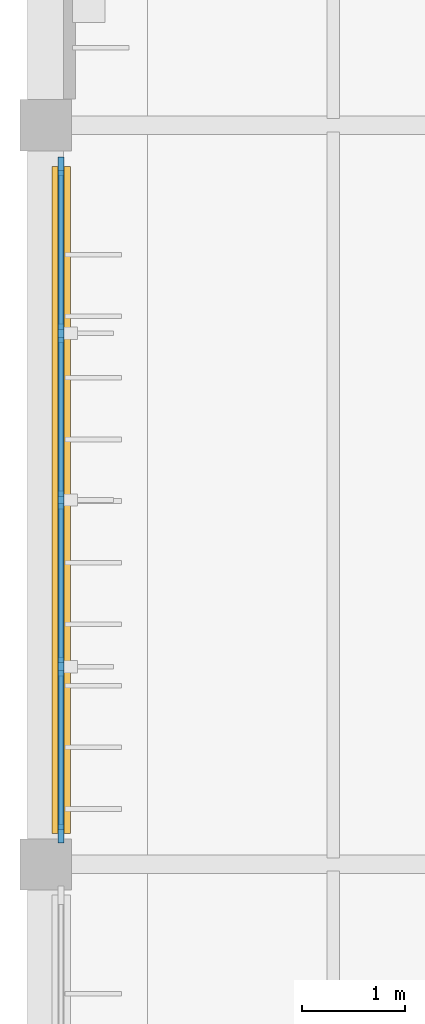
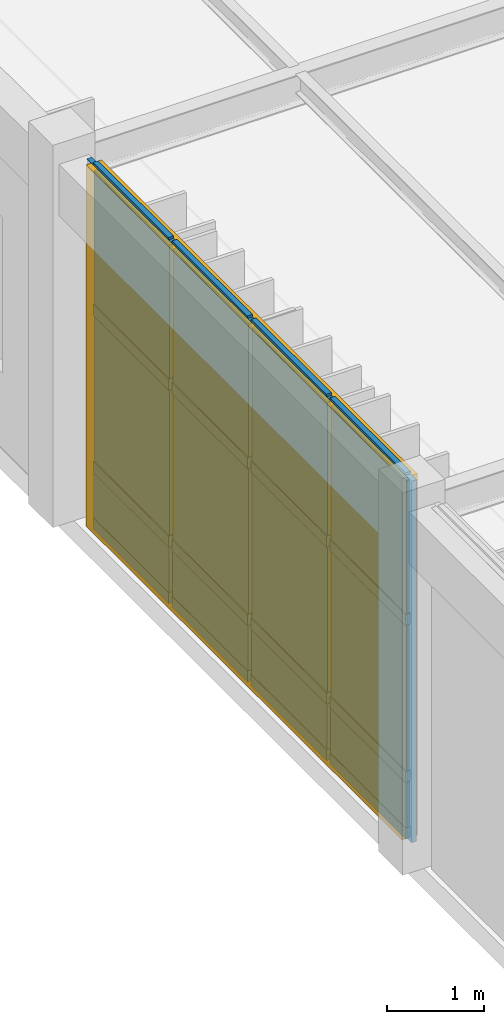
# One storey, part 67 of 122: 21 members, 12 plates, 1 curtain wall.
"""IFC4 building model written with IfcOpenShell, lengths in metres."""

from ifc_helpers import new_model, si_unit, direction, frame, frame_2d, origin, origin_2d, place, context, subcontext, project, spatial, rectangle, extrude, material, layer, layer_set, material_profile, profile_set, type_object, element, aggregate, save


model = new_model("IFC4")

# Units and contexts
model_context = context("Model", 3, precision=1e-05, world=origin(), true_north=direction((0.0, 1.0)))
body_context = subcontext(model_context, "Body", "Model", "MODEL_VIEW")
ifc_project = project(units=[si_unit("LENGTHUNIT", "METRE"), si_unit("AREAUNIT", "SQUARE_METRE"), si_unit("VOLUMEUNIT", "CUBIC_METRE"), si_unit("PLANEANGLEUNIT", "RADIAN"), si_unit("MASSUNIT", "GRAM", prefix="KILO")], contexts=[model_context])

# Member
ifc_material_1 = material(Name="Anodised Bronze Aluminium 6063-T6", Category="aluminium")
ifc_material_profile_1 = material_profile(ifc_material_1, rectangle(XDim=0.06005859375, YDim=0.179931640625, at=origin_2d()), Name="ALU MULLION 60x180")
ifc_profile_set_1 = profile_set([ifc_material_profile_1], Name="Anodised Bronze Aluminium 6063-T6")
member_type_1 = type_object("IfcMemberType", Name="Curtain-Wall Primary Mullion 60x180", PredefinedType="MULLION", material=ifc_profile_set_1)
site_placement = place(None, origin())
building_placement = place(site_placement, origin())
storey_placement = place(building_placement, origin())
member_1_placement = place(storey_placement, frame((2.550048828125, 59.300048828125, 0.0), z_axis=(0.0, 0.0, 1.0), x_axis=(1.0, 0.0, 0.0)))
member_1 = element("IfcMember", 1, at=member_1_placement, type_object=member_type_1, Name="Mullion CWM-01 CW-V6-W1-L00-B4-M01", PredefinedType="MULLION", context=body_context, shape_type="SweptSolid", body=[
    extrude(rectangle(XDim=0.06005859375, YDim=0.179931640625, at=origin_2d()), origin(), (0.0, 0.0, 1.0), 4.5400390625),
])

member_2_placement = place(storey_placement, frame((2.550048828125, 60.925048828125, 0.0), z_axis=(0.0, 0.0, 1.0), x_axis=(1.0, 0.0, 0.0)))
member_2 = element("IfcMember", 2, at=member_2_placement, type_object=member_type_1, Name="Mullion CWM-01 CW-V6-W1-L00-B4-M02", PredefinedType="MULLION", context=body_context, shape_type="SweptSolid", body=[
    extrude(rectangle(XDim=0.06005859375, YDim=0.179931640625, at=origin_2d()), origin(), (0.0, 0.0, 1.0), 4.5400390625),
])

member_3_placement = place(storey_placement, frame((2.550048828125, 62.550048828125, 0.0), z_axis=(0.0, 0.0, 1.0), x_axis=(1.0, 0.0, 0.0)))
member_3 = element("IfcMember", 3, at=member_3_placement, type_object=member_type_1, Name="Mullion CWM-01 CW-V6-W1-L00-B4-M03", PredefinedType="MULLION", context=body_context, shape_type="SweptSolid", body=[
    extrude(rectangle(XDim=0.06005859375, YDim=0.179931640625, at=origin_2d()), origin(), (0.0, 0.0, 1.0), 4.5400390625),
])

member_4_placement = place(storey_placement, frame((2.550048828125, 64.175048828125, 0.0), z_axis=(0.0, 0.0, 1.0), x_axis=(1.0, 0.0, 0.0)))
member_4 = element("IfcMember", 4, at=member_4_placement, type_object=member_type_1, Name="Mullion CWM-01 CW-V6-W1-L00-B4-M04", PredefinedType="MULLION", context=body_context, shape_type="SweptSolid", body=[
    extrude(rectangle(XDim=0.06005859375, YDim=0.179931640625, at=origin_2d()), origin(), (0.0, 0.0, 1.0), 4.5400390625),
])

member_5_placement = place(storey_placement, frame((2.550048828125, 65.800048828125, 0.0), z_axis=(0.0, 0.0, 1.0), x_axis=(1.0, 0.0, 0.0)))
member_5 = element("IfcMember", 5, at=member_5_placement, type_object=member_type_1, Name="Mullion CWM-01 CW-V6-W1-L00-B4-M05", PredefinedType="MULLION", context=body_context, shape_type="SweptSolid", body=[
    extrude(rectangle(XDim=0.06005859375, YDim=0.179931640625, at=origin_2d()), origin(), (0.0, 0.0, 1.0), 4.5400390625),
])

ifc_material_profile_2 = material_profile(ifc_material_1, rectangle(XDim=0.06005859375, YDim=0.139892578125, at=origin_2d()), Name="ALU TRANSOM 60x140")
ifc_profile_set_2 = profile_set([ifc_material_profile_2], Name="Anodised Bronze Aluminium 6063-T6")
member_type_2 = type_object("IfcMemberType", Name="Curtain-Wall Transom 60x140", PredefinedType="USERDEFINED", material=ifc_profile_set_2)
member_6_placement = place(storey_placement, frame((2.550048828125, 59.3349609375, 0.0400390625), z_axis=(0.0, 1.0, 0.0), x_axis=(-1.0, 0.0, 0.0)))
member_6 = element("IfcMember", 6, at=member_6_placement, type_object=member_type_2, Name="Transom CWT-01 CW-V6-W1-L00-B4-T01.1", ObjectType="TRANSOM", PredefinedType="USERDEFINED", context=body_context, shape_type="SweptSolid", body=[
    extrude(rectangle(XDim=0.06005859375, YDim=0.139892578125, at=origin_2d()), origin(), (0.0, 0.0, 1.0), 1.554931640625),
])

member_7_placement = place(storey_placement, frame((2.550048828125, 59.3349609375, 0.75), z_axis=(0.0, 1.0, 0.0), x_axis=(-1.0, 0.0, 0.0)))
member_7 = element("IfcMember", 7, at=member_7_placement, type_object=member_type_2, Name="Transom CWT-01 CW-V6-W1-L00-B4-T01.2", ObjectType="TRANSOM", PredefinedType="USERDEFINED", context=body_context, shape_type="SweptSolid", body=[
    extrude(rectangle(XDim=0.06005859375, YDim=0.139892578125, at=origin_2d()), origin(), (0.0, 0.0, 1.0), 1.554931640625),
])

member_8_placement = place(storey_placement, frame((2.550048828125, 59.3349609375, 2.720703125), z_axis=(0.0, 1.0, 0.0), x_axis=(-1.0, 0.0, 0.0)))
member_8 = element("IfcMember", 8, at=member_8_placement, type_object=member_type_2, Name="Transom CWT-01 CW-V6-W1-L00-B4-T01.3", ObjectType="TRANSOM", PredefinedType="USERDEFINED", context=body_context, shape_type="SweptSolid", body=[
    extrude(rectangle(XDim=0.06005859375, YDim=0.139892578125, at=origin_2d()), origin(), (0.0, 0.0, 1.0), 1.554931640625),
])

member_9_placement = place(storey_placement, frame((2.550048828125, 59.3349609375, 4.5), z_axis=(0.0, 1.0, 0.0), x_axis=(-1.0, 0.0, 0.0)))
member_9 = element("IfcMember", 9, at=member_9_placement, type_object=member_type_2, Name="Transom CWT-01 CW-V6-W1-L00-B4-T01.4", ObjectType="TRANSOM", PredefinedType="USERDEFINED", context=body_context, shape_type="SweptSolid", body=[
    extrude(rectangle(XDim=0.06005859375, YDim=0.139892578125, at=origin_2d()), origin(), (0.0, 0.0, 1.0), 1.554931640625),
])

member_10_placement = place(storey_placement, frame((2.550048828125, 60.9599609375, 0.0400390625), z_axis=(0.0, 1.0, 0.0), x_axis=(-1.0, 0.0, 0.0)))
member_10 = element("IfcMember", 10, at=member_10_placement, type_object=member_type_2, Name="Transom CWT-01 CW-V6-W1-L00-B4-T02.1", ObjectType="TRANSOM", PredefinedType="USERDEFINED", context=body_context, shape_type="SweptSolid", body=[
    extrude(rectangle(XDim=0.06005859375, YDim=0.139892578125, at=origin_2d()), origin(), (0.0, 0.0, 1.0), 1.554931640625),
])

member_11_placement = place(storey_placement, frame((2.550048828125, 60.9599609375, 0.75), z_axis=(0.0, 1.0, 0.0), x_axis=(-1.0, 0.0, 0.0)))
member_11 = element("IfcMember", 11, at=member_11_placement, type_object=member_type_2, Name="Transom CWT-01 CW-V6-W1-L00-B4-T02.2", ObjectType="TRANSOM", PredefinedType="USERDEFINED", context=body_context, shape_type="SweptSolid", body=[
    extrude(rectangle(XDim=0.06005859375, YDim=0.139892578125, at=origin_2d()), origin(), (0.0, 0.0, 1.0), 1.554931640625),
])

member_12_placement = place(storey_placement, frame((2.550048828125, 60.9599609375, 2.720703125), z_axis=(0.0, 1.0, 0.0), x_axis=(-1.0, 0.0, 0.0)))
member_12 = element("IfcMember", 12, at=member_12_placement, type_object=member_type_2, Name="Transom CWT-01 CW-V6-W1-L00-B4-T02.3", ObjectType="TRANSOM", PredefinedType="USERDEFINED", context=body_context, shape_type="SweptSolid", body=[
    extrude(rectangle(XDim=0.06005859375, YDim=0.139892578125, at=origin_2d()), origin(), (0.0, 0.0, 1.0), 1.554931640625),
])

member_13_placement = place(storey_placement, frame((2.550048828125, 60.9599609375, 4.5), z_axis=(0.0, 1.0, 0.0), x_axis=(-1.0, 0.0, 0.0)))
member_13 = element("IfcMember", 13, at=member_13_placement, type_object=member_type_2, Name="Transom CWT-01 CW-V6-W1-L00-B4-T02.4", ObjectType="TRANSOM", PredefinedType="USERDEFINED", context=body_context, shape_type="SweptSolid", body=[
    extrude(rectangle(XDim=0.06005859375, YDim=0.139892578125, at=origin_2d()), origin(), (0.0, 0.0, 1.0), 1.554931640625),
])

member_14_placement = place(storey_placement, frame((2.550048828125, 62.5849609375, 0.0400390625), z_axis=(0.0, 1.0, 0.0), x_axis=(-1.0, 0.0, 0.0)))
member_14 = element("IfcMember", 14, at=member_14_placement, type_object=member_type_2, Name="Transom CWT-01 CW-V6-W1-L00-B4-T03.1", ObjectType="TRANSOM", PredefinedType="USERDEFINED", context=body_context, shape_type="SweptSolid", body=[
    extrude(rectangle(XDim=0.06005859375, YDim=0.139892578125, at=origin_2d()), origin(), (0.0, 0.0, 1.0), 1.554931640625),
])

member_15_placement = place(storey_placement, frame((2.550048828125, 62.5849609375, 0.75), z_axis=(0.0, 1.0, 0.0), x_axis=(-1.0, 0.0, 0.0)))
member_15 = element("IfcMember", 15, at=member_15_placement, type_object=member_type_2, Name="Transom CWT-01 CW-V6-W1-L00-B4-T03.2", ObjectType="TRANSOM", PredefinedType="USERDEFINED", context=body_context, shape_type="SweptSolid", body=[
    extrude(rectangle(XDim=0.06005859375, YDim=0.139892578125, at=origin_2d()), origin(), (0.0, 0.0, 1.0), 1.554931640625),
])

member_16_placement = place(storey_placement, frame((2.550048828125, 62.5849609375, 2.720703125), z_axis=(0.0, 1.0, 0.0), x_axis=(-1.0, 0.0, 0.0)))
member_16 = element("IfcMember", 16, at=member_16_placement, type_object=member_type_2, Name="Transom CWT-01 CW-V6-W1-L00-B4-T03.3", ObjectType="TRANSOM", PredefinedType="USERDEFINED", context=body_context, shape_type="SweptSolid", body=[
    extrude(rectangle(XDim=0.06005859375, YDim=0.139892578125, at=origin_2d()), origin(), (0.0, 0.0, 1.0), 1.554931640625),
])

member_17_placement = place(storey_placement, frame((2.550048828125, 62.5849609375, 4.5), z_axis=(0.0, 1.0, 0.0), x_axis=(-1.0, 0.0, 0.0)))
member_17 = element("IfcMember", 17, at=member_17_placement, type_object=member_type_2, Name="Transom CWT-01 CW-V6-W1-L00-B4-T03.4", ObjectType="TRANSOM", PredefinedType="USERDEFINED", context=body_context, shape_type="SweptSolid", body=[
    extrude(rectangle(XDim=0.06005859375, YDim=0.139892578125, at=origin_2d()), origin(), (0.0, 0.0, 1.0), 1.554931640625),
])

member_18_placement = place(storey_placement, frame((2.550048828125, 64.2099609375, 0.0400390625), z_axis=(0.0, 1.0, 0.0), x_axis=(-1.0, 0.0, 0.0)))
member_18 = element("IfcMember", 18, at=member_18_placement, type_object=member_type_2, Name="Transom CWT-01 CW-V6-W1-L00-B4-T04.1", ObjectType="TRANSOM", PredefinedType="USERDEFINED", context=body_context, shape_type="SweptSolid", body=[
    extrude(rectangle(XDim=0.06005859375, YDim=0.139892578125, at=origin_2d()), origin(), (0.0, 0.0, 1.0), 1.554931640625),
])

member_19_placement = place(storey_placement, frame((2.550048828125, 64.2099609375, 0.75), z_axis=(0.0, 1.0, 0.0), x_axis=(-1.0, 0.0, 0.0)))
member_19 = element("IfcMember", 19, at=member_19_placement, type_object=member_type_2, Name="Transom CWT-01 CW-V6-W1-L00-B4-T04.2", ObjectType="TRANSOM", PredefinedType="USERDEFINED", context=body_context, shape_type="SweptSolid", body=[
    extrude(rectangle(XDim=0.06005859375, YDim=0.139892578125, at=origin_2d()), origin(), (0.0, 0.0, 1.0), 1.554931640625),
])

member_20_placement = place(storey_placement, frame((2.550048828125, 64.2099609375, 2.720703125), z_axis=(0.0, 1.0, 0.0), x_axis=(-1.0, 0.0, 0.0)))
member_20 = element("IfcMember", 20, at=member_20_placement, type_object=member_type_2, Name="Transom CWT-01 CW-V6-W1-L00-B4-T04.3", ObjectType="TRANSOM", PredefinedType="USERDEFINED", context=body_context, shape_type="SweptSolid", body=[
    extrude(rectangle(XDim=0.06005859375, YDim=0.139892578125, at=origin_2d()), origin(), (0.0, 0.0, 1.0), 1.554931640625),
])

member_21_placement = place(storey_placement, frame((2.550048828125, 64.2099609375, 4.5), z_axis=(0.0, 1.0, 0.0), x_axis=(-1.0, 0.0, 0.0)))
member_21 = element("IfcMember", 21, at=member_21_placement, type_object=member_type_2, Name="Transom CWT-01 CW-V6-W1-L00-B4-T04.4", ObjectType="TRANSOM", PredefinedType="USERDEFINED", context=body_context, shape_type="SweptSolid", body=[
    extrude(rectangle(XDim=0.06005859375, YDim=0.139892578125, at=origin_2d()), origin(), (0.0, 0.0, 1.0), 1.554931640625),
])

# Plate
ifc_material_2 = material(Name="Insulated Bronze Aluminium Spandrel Panel", Category="aluminium")
ifc_layer_1 = layer(ifc_material_2, 0.050048828125, Name="Insulated Bronze Aluminium Spandrel Panel")
ifc_layer_set_1 = layer_set([ifc_layer_1], Name="Insulated Bronze Aluminium Spandrel Panel")
plate_type_1 = type_object("IfcPlateType", Name="Insulated Anodised Aluminium Spandrel Cassette 50", PredefinedType="CURTAIN_PANEL", material=ifc_layer_set_1)
plate_1_placement = place(storey_placement, frame((2.550048828125, 60.112548828125, 0.070068359375), z_axis=(0.0, 0.0, 1.0), x_axis=(0.0, 1.0, 0.0)))
plate_1 = element("IfcPlate", 22, at=plate_1_placement, type_object=plate_type_1, Name="Curtain Panel CWP-03 CW-V6-W1-L00-B4-P01.1", PredefinedType="CURTAIN_PANEL", context=body_context, shape_type="SweptSolid", body=[
    extrude(rectangle(XDim=1.554931640625, YDim=0.050048828125, at=origin_2d()), origin(), (0.0, 0.0, 1.0), 0.64990234375),
])

plate_2_placement = place(storey_placement, frame((2.550048828125, 61.737548828125, 0.070068359375), z_axis=(0.0, 0.0, 1.0), x_axis=(0.0, 1.0, 0.0)))
plate_2 = element("IfcPlate", 23, at=plate_2_placement, type_object=plate_type_1, Name="Curtain Panel CWP-03 CW-V6-W1-L00-B4-P02.1", PredefinedType="CURTAIN_PANEL", context=body_context, shape_type="SweptSolid", body=[
    extrude(rectangle(XDim=1.554931640625, YDim=0.050048828125, at=origin_2d()), origin(), (0.0, 0.0, 1.0), 0.64990234375),
])

plate_3_placement = place(storey_placement, frame((2.550048828125, 63.362548828125, 0.070068359375), z_axis=(0.0, 0.0, 1.0), x_axis=(0.0, 1.0, 0.0)))
plate_3 = element("IfcPlate", 24, at=plate_3_placement, type_object=plate_type_1, Name="Curtain Panel CWP-03 CW-V6-W1-L00-B4-P03.1", PredefinedType="CURTAIN_PANEL", context=body_context, shape_type="SweptSolid", body=[
    extrude(rectangle(XDim=1.554931640625, YDim=0.050048828125, at=origin_2d()), origin(), (0.0, 0.0, 1.0), 0.64990234375),
])

plate_4_placement = place(storey_placement, frame((2.550048828125, 64.987548828125, 0.070068359375), z_axis=(0.0, 0.0, 1.0), x_axis=(0.0, 1.0, 0.0)))
plate_4 = element("IfcPlate", 25, at=plate_4_placement, type_object=plate_type_1, Name="Curtain Panel CWP-03 CW-V6-W1-L00-B4-P04.1", PredefinedType="CURTAIN_PANEL", context=body_context, shape_type="SweptSolid", body=[
    extrude(rectangle(XDim=1.554931640625, YDim=0.050048828125, at=origin_2d()), origin(), (0.0, 0.0, 1.0), 0.64990234375),
])

ifc_material_3 = material(Name="Solar-Control Tempered Double Glazing", Category="glass")
ifc_layer_2 = layer(ifc_material_3, 0.0380859375, Name="Solar-Control Tempered Double Glazing")
ifc_layer_set_2 = layer_set([ifc_layer_2], Name="Solar-Control Tempered Double Glazing")
plate_type_2 = type_object("IfcPlateType", Name="Solar-Control Vision Glazing Unit 38", PredefinedType="CURTAIN_PANEL", material=ifc_layer_set_2)
plate_5_placement = place(storey_placement, frame((2.550048828125, 60.112548828125, 0.77978515625), z_axis=(0.0, 0.0, 1.0), x_axis=(0.0, 1.0, 0.0)))
plate_5 = element("IfcPlate", 26, at=plate_5_placement, type_object=plate_type_2, Name="Curtain Panel CWP-02 CW-V6-W1-L00-B4-P01.2", PredefinedType="CURTAIN_PANEL", context=body_context, shape_type="SweptSolid", body=[
    extrude(rectangle(XDim=1.554931640625, YDim=0.0380859375, at=origin_2d()), origin(), (0.0, 0.0, 1.0), 1.910888671875),
])

plate_6_placement = place(storey_placement, frame((2.550048828125, 60.112548828125, 2.750732421875), z_axis=(0.0, 0.0, 1.0), x_axis=(0.0, 1.0, 0.0)))
plate_6 = element("IfcPlate", 27, at=plate_6_placement, type_object=plate_type_2, Name="Curtain Panel CWP-02 CW-V6-W1-L00-B4-P01.3", PredefinedType="CURTAIN_PANEL", context=body_context, shape_type="SweptSolid", body=[
    extrude(rectangle(XDim=1.554931640625, YDim=0.0380859375, at=origin_2d()), origin(), (0.0, 0.0, 1.0), 1.71923828125),
])

plate_7_placement = place(storey_placement, frame((2.550048828125, 61.737548828125, 0.77978515625), z_axis=(0.0, 0.0, 1.0), x_axis=(0.0, 1.0, 0.0)))
plate_7 = element("IfcPlate", 28, at=plate_7_placement, type_object=plate_type_2, Name="Curtain Panel CWP-02 CW-V6-W1-L00-B4-P02.2", PredefinedType="CURTAIN_PANEL", context=body_context, shape_type="SweptSolid", body=[
    extrude(rectangle(XDim=1.554931640625, YDim=0.0380859375, at=origin_2d()), origin(), (0.0, 0.0, 1.0), 1.910888671875),
])

plate_8_placement = place(storey_placement, frame((2.550048828125, 61.737548828125, 2.750732421875), z_axis=(0.0, 0.0, 1.0), x_axis=(0.0, 1.0, 0.0)))
plate_8 = element("IfcPlate", 29, at=plate_8_placement, type_object=plate_type_2, Name="Curtain Panel CWP-02 CW-V6-W1-L00-B4-P02.3", PredefinedType="CURTAIN_PANEL", context=body_context, shape_type="SweptSolid", body=[
    extrude(rectangle(XDim=1.554931640625, YDim=0.0380859375, at=origin_2d()), origin(), (0.0, 0.0, 1.0), 1.71923828125),
])

plate_9_placement = place(storey_placement, frame((2.550048828125, 63.362548828125, 0.77978515625), z_axis=(0.0, 0.0, 1.0), x_axis=(0.0, 1.0, 0.0)))
plate_9 = element("IfcPlate", 30, at=plate_9_placement, type_object=plate_type_2, Name="Curtain Panel CWP-02 CW-V6-W1-L00-B4-P03.2", PredefinedType="CURTAIN_PANEL", context=body_context, shape_type="SweptSolid", body=[
    extrude(rectangle(XDim=1.554931640625, YDim=0.0380859375, at=origin_2d()), origin(), (0.0, 0.0, 1.0), 1.910888671875),
])

plate_10_placement = place(storey_placement, frame((2.550048828125, 63.362548828125, 2.750732421875), z_axis=(0.0, 0.0, 1.0), x_axis=(0.0, 1.0, 0.0)))
plate_10 = element("IfcPlate", 31, at=plate_10_placement, type_object=plate_type_2, Name="Curtain Panel CWP-02 CW-V6-W1-L00-B4-P03.3", PredefinedType="CURTAIN_PANEL", context=body_context, shape_type="SweptSolid", body=[
    extrude(rectangle(XDim=1.554931640625, YDim=0.0380859375, at=origin_2d()), origin(), (0.0, 0.0, 1.0), 1.71923828125),
])

plate_11_placement = place(storey_placement, frame((2.550048828125, 64.987548828125, 0.77978515625), z_axis=(0.0, 0.0, 1.0), x_axis=(0.0, 1.0, 0.0)))
plate_11 = element("IfcPlate", 32, at=plate_11_placement, type_object=plate_type_2, Name="Curtain Panel CWP-02 CW-V6-W1-L00-B4-P04.2", PredefinedType="CURTAIN_PANEL", context=body_context, shape_type="SweptSolid", body=[
    extrude(rectangle(XDim=1.554931640625, YDim=0.0380859375, at=origin_2d()), origin(), (0.0, 0.0, 1.0), 1.910888671875),
])

plate_12_placement = place(storey_placement, frame((2.550048828125, 64.987548828125, 2.750732421875), z_axis=(0.0, 0.0, 1.0), x_axis=(0.0, 1.0, 0.0)))
plate_12 = element("IfcPlate", 33, at=plate_12_placement, type_object=plate_type_2, Name="Curtain Panel CWP-02 CW-V6-W1-L00-B4-P04.3", PredefinedType="CURTAIN_PANEL", context=body_context, shape_type="SweptSolid", body=[
    extrude(rectangle(XDim=1.554931640625, YDim=0.0380859375, at=origin_2d()), origin(), (0.0, 0.0, 1.0), 1.71923828125),
])

# Site, building, storey
site = spatial("IfcSite", under=ifc_project, at=site_placement, CompositionType="ELEMENT")
building = spatial("IfcBuilding", under=site, at=building_placement, Name="Tazoul Stagehouse", CompositionType="ELEMENT")
storey = spatial("IfcBuildingStorey", under=building, at=storey_placement, Name="L00", CompositionType="ELEMENT", Elevation=0.0)

# Curtain wall
curtain_wall_type = type_object("IfcCurtainWallType", Name="Foyer Clear Solar-Control Curtain Wall", PredefinedType="NOTDEFINED", material=ifc_material_1)
curtain_wall_placement = place(storey_placement, frame((2.550048828125, 59.300048828125, 0.0), z_axis=(0.0, 0.0, 1.0), x_axis=(0.0, 1.0, 0.0)))
curtain_wall = element("IfcCurtainWall", 34, at=curtain_wall_placement, inside=storey, type_object=curtain_wall_type, Name="L00 Curtain Wall CW-02 (CW-V6-W1-L00-B4)", PredefinedType="NOTDEFINED", context=body_context, shape_type="SweptSolid", body=[
    extrude(rectangle(XDim=6.5, YDim=0.179931640625, at=frame_2d((3.25, 0.0))), origin(), (0.0, 0.0, 1.0), 4.5400390625),
])

aggregate(curtain_wall, [member_1, member_2, member_3, member_4, member_5, member_6, member_7, member_8, member_9, plate_1, plate_5, plate_6, member_10, member_11, member_12, member_13, plate_2, plate_7, plate_8, member_14, member_15, member_16, member_17, plate_3, plate_9, plate_10, member_18, member_19, member_20, member_21, plate_4, plate_11, plate_12])

save(model, "model.ifc")
